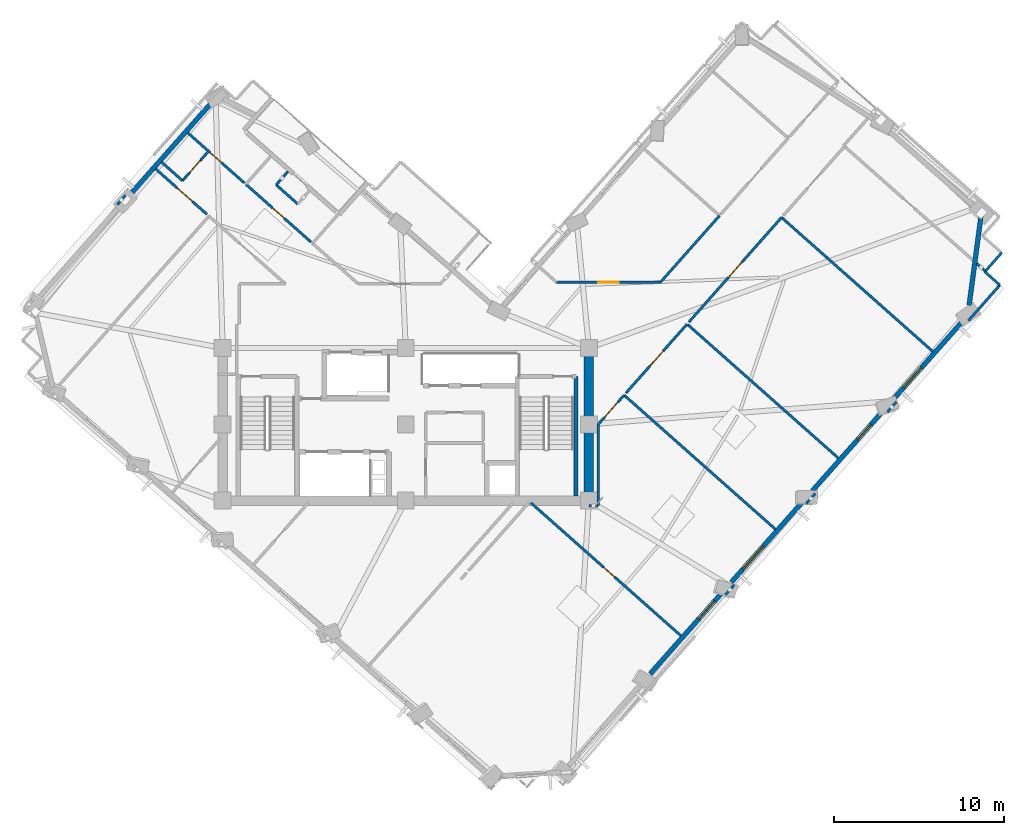
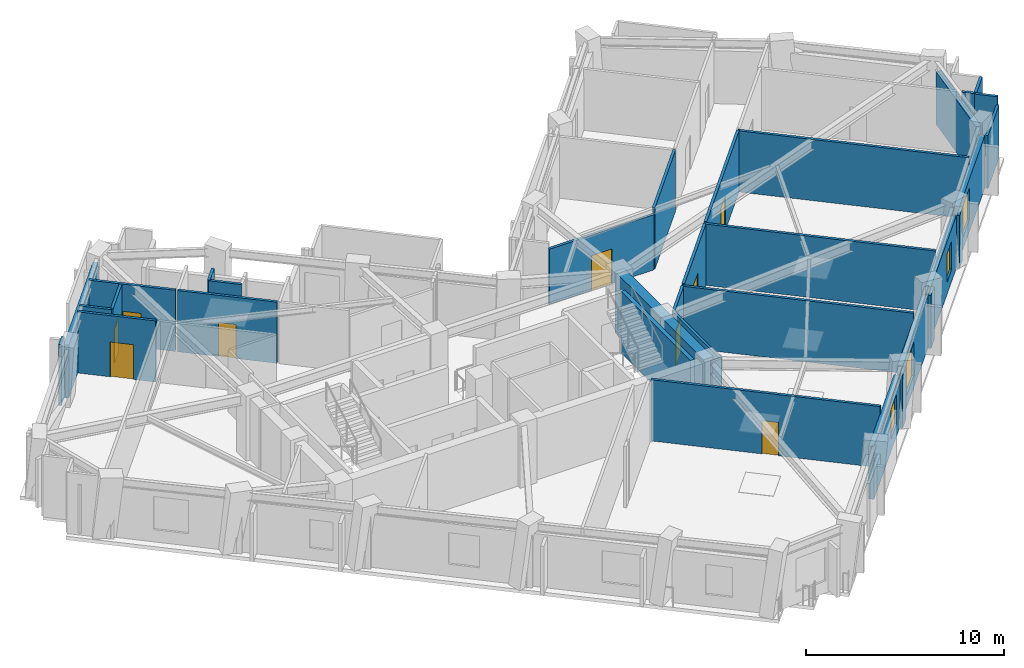
# One storey, part 7 of 13: 34 walls, 9 doors, 4 windows, 13 openings.
"""IFC4 building model written with IfcOpenShell, lengths in metres."""

from ifc_helpers import new_model, si_unit, direction, frame, frame_2d, origin, place, context, subcontext, project, spatial, rectangle, extrude, material, layer, layer_set, type_object, element, fill, save


model = new_model("IFC4")

# Units and contexts
model_context = context("Model", 3, precision=1e-05, world=origin(), true_north=direction((0.0, 1.0)))
body_context = subcontext(model_context, "Body", "Model", "MODEL_VIEW")
ifc_project = project(units=[si_unit("LENGTHUNIT", "METRE"), si_unit("AREAUNIT", "SQUARE_METRE"), si_unit("VOLUMEUNIT", "CUBIC_METRE"), si_unit("PLANEANGLEUNIT", "RADIAN"), si_unit("MASSUNIT", "GRAM", prefix="KILO")], contexts=[model_context])

# Site, building, storey
site_placement = place(None, origin())
site = spatial("IfcSite", under=ifc_project, at=site_placement, CompositionType="ELEMENT")
building_placement = place(site_placement, origin())
building = spatial("IfcBuilding", under=site, at=building_placement, Name="Gaonmaruhae Medical Tower", CompositionType="ELEMENT")
storey_placement = place(building_placement, frame((0.0, 0.0, 231.199951171875)))
storey = spatial("IfcBuildingStorey", under=building, at=storey_placement, Name="L55", CompositionType="ELEMENT", Elevation=231.199951171875)

# Wall
ifc_material_1 = material(Name="Concrete C50/60", Category="concrete")
ifc_layer_1 = layer(ifc_material_1, 0.550048828125)
ifc_layer_set_1 = layer_set([ifc_layer_1], Name="Concrete C50/60")
wall_type_1 = type_object("IfcWallType", Name="CW-550 Mid-High Core Shear Wall", PredefinedType="SHEAR", material=ifc_layer_set_1)
wall_1_placement = place(storey_placement, frame((35.60009765625, 7.800048828125, 0.0), z_axis=(0.0, 0.0, 1.0), x_axis=(0.0, 1.0, 0.0)))
element("IfcWall", 1, at=wall_1_placement, inside=storey, type_object=wall_type_1, Name="L55 Core Shear Wall CSW-E1", PredefinedType="SHEAR", context=body_context, shape_type="SweptSolid", body=[
    extrude(rectangle(XDim=9.0, YDim=0.550048828125, at=frame_2d((4.5, 0.0))), origin(), (0.0, 0.0, 1.0), 3.780029296875),
])

# Wall, opening, window
ifc_material_2 = material(Name="Precast concrete C45/55", Category="concrete")
ifc_layer_2 = layer(ifc_material_2, 0.280029296875)
ifc_layer_set_2 = layer_set([ifc_layer_2], Name="Precast concrete C45/55")
wall_type_2 = type_object("IfcWallType", Name="EW-280 Upper Precast Masonry-Frame Facade Wall", PredefinedType="SOLIDWALL", material=ifc_layer_set_2)
wall_2_placement = place(storey_placement, frame((43.4833984375, 2.40576171875, 0.0), z_axis=(0.0, 0.0, 1.0), x_axis=(-0.66328290133, -0.748368754561, 0.0)))
wall_2 = element("IfcWall", 2, at=wall_2_placement, inside=storey, type_object=wall_type_2, Name="L55 Precast Masonry-Frame Wall S02-S03", PredefinedType="SOLIDWALL", context=body_context, shape_type="SweptSolid", body=[
    extrude(rectangle(XDim=6.438720703125, YDim=0.280029296875, at=frame_2d((3.21923828125, 0.0))), origin(), (0.0, 0.0, 1.0), 3.26513671875),
])
opening_1_placement = place(wall_2_placement, frame((0.710205078125, 0.0, 0.75)))
opening_1 = element("IfcOpeningElement", 3, at=opening_1_placement, cuts=wall_2, Name="Opening WN-03", PredefinedType="OPENING", context=body_context, shape_type="SweptSolid", body=[
    extrude(rectangle(XDim=1.39990234375, YDim=1.85009765625, at=frame_2d((0.699951171875, 0.925048828125))), frame((0.0, 0.14990234375, 0.0), z_axis=(0.0, -1.0, 0.0), x_axis=(1.0, 0.0, 0.0)), (0.0, 0.0, 1.0), 0.300048828125),
])
ifc_material_3 = material(Name="Anodised aluminium and Low-E double glazing", Category="aluminium")
window_type_1 = type_object("IfcWindowType", Name="WN-03 Isolation Ward Punched Window 1400x1850", PartitioningType="SINGLE_PANEL", PredefinedType="WINDOW", material=ifc_material_3)
window_1_placement = place(opening_1_placement, origin())
window_1 = element("IfcWindow", 4, at=window_1_placement, inside=storey, type_object=window_type_1, Name="L55 Modular Facade Window S02", OverallHeight=1.85009765625, OverallWidth=1.39990234375, PartitioningType="SINGLE_PANEL", PredefinedType="WINDOW", context=body_context, shape_type="SweptSolid", body=[
    extrude(rectangle(XDim=1.39990234375, YDim=1.85009765625, at=frame_2d((0.699951171875, 0.925048828125))), frame((0.0, 0.030029296875, 0.0), z_axis=(0.0, -1.0, 0.0), x_axis=(1.0, 0.0, 0.0)), (0.0, 0.0, 1.0), 0.06005859375),
])
fill(opening_1, window_1)

wall_3_placement = place(storey_placement, frame((48.25341796875, 7.787841796875, 0.0), z_axis=(0.0, 0.0, 1.0), x_axis=(-0.663285710917, -0.748366264401, 0.0)))
wall_3 = element("IfcWall", 5, at=wall_3_placement, inside=storey, type_object=wall_type_2, Name="L55 Precast Masonry-Frame Wall S03-S04", PredefinedType="SOLIDWALL", context=body_context, shape_type="SweptSolid", body=[
    extrude(rectangle(XDim=6.413330078125, YDim=0.280029296875, at=frame_2d((3.20654296875, 0.0))), origin(), (0.0, 0.0, 1.0), 3.26513671875),
])
opening_2_placement = place(wall_3_placement, frame((3.583251953125, 0.0, 0.75)))
opening_2 = element("IfcOpeningElement", 6, at=opening_2_placement, cuts=wall_3, Name="Opening WN-04", PredefinedType="OPENING", context=body_context, shape_type="SweptSolid", body=[
    extrude(rectangle(XDim=1.800048828125, YDim=2.050048828125, at=frame_2d((0.89990234375, 1.02490234375))), frame((0.0, 0.14990234375, 0.0), z_axis=(0.0, -1.0, 0.0), x_axis=(1.0, 0.0, 0.0)), (0.0, 0.0, 1.0), 0.300048828125),
])
window_type_2 = type_object("IfcWindowType", Name="WN-04 Clinic & Consult Punched Window 1800x2050", PartitioningType="SINGLE_PANEL", PredefinedType="WINDOW", material=ifc_material_3)
window_2_placement = place(opening_2_placement, origin())
window_2 = element("IfcWindow", 7, at=window_2_placement, inside=storey, type_object=window_type_2, Name="L55 Modular Facade Window S03", OverallHeight=2.050048828125, OverallWidth=1.800048828125, PartitioningType="SINGLE_PANEL", PredefinedType="WINDOW", context=body_context, shape_type="SweptSolid", body=[
    extrude(rectangle(XDim=1.800048828125, YDim=2.050048828125, at=frame_2d((0.89990234375, 1.02490234375))), frame((0.0, 0.030029296875, 0.0), z_axis=(0.0, -1.0, 0.0), x_axis=(1.0, 0.0, 0.0)), (0.0, 0.0, 1.0), 0.06005859375),
])
fill(opening_2, window_2)

wall_4_placement = place(storey_placement, frame((53.029541015625, 13.1767578125, 0.0), z_axis=(0.0, 0.0, 1.0), x_axis=(-0.663279868265, -0.74837144277, 0.0)))
wall_4 = element("IfcWall", 8, at=wall_4_placement, inside=storey, type_object=wall_type_2, Name="L55 Precast Masonry-Frame Wall S04-S05", PredefinedType="SOLIDWALL", context=body_context, shape_type="SweptSolid", body=[
    extrude(rectangle(XDim=6.40673828125, YDim=0.280029296875, at=frame_2d((3.203369140625, 0.0))), origin(), (0.0, 0.0, 1.0), 3.26513671875),
])
opening_3_placement = place(wall_4_placement, frame((1.189697265625, 0.0, 0.75)))
opening_3 = element("IfcOpeningElement", 9, at=opening_3_placement, cuts=wall_4, Name="Opening WN-05", PredefinedType="OPENING", context=body_context, shape_type="SweptSolid", body=[
    extrude(rectangle(XDim=1.199951171875, YDim=1.75, at=frame_2d((0.60009765625, 0.875))), frame((0.0, 0.14990234375, 0.0), z_axis=(0.0, -1.0, 0.0), x_axis=(1.0, 0.0, 0.0)), (0.0, 0.0, 1.0), 0.300048828125),
])
window_type_3 = type_object("IfcWindowType", Name="WN-05 Support & Staff Punched Window 1200x1750", PartitioningType="SINGLE_PANEL", PredefinedType="WINDOW", material=ifc_material_3)
window_3_placement = place(opening_3_placement, origin())
window_3 = element("IfcWindow", 10, at=window_3_placement, inside=storey, type_object=window_type_3, Name="L55 Modular Facade Window S04", OverallHeight=1.75, OverallWidth=1.199951171875, PartitioningType="SINGLE_PANEL", PredefinedType="WINDOW", context=body_context, shape_type="SweptSolid", body=[
    extrude(rectangle(XDim=1.199951171875, YDim=1.75, at=frame_2d((0.60009765625, 0.875))), frame((0.0, 0.030029296875, 0.0), z_axis=(0.0, -1.0, 0.0), x_axis=(1.0, 0.0, 0.0)), (0.0, 0.0, 1.0), 0.06005859375),
])
fill(opening_3, window_3)

wall_5_placement = place(storey_placement, frame((57.8115234375, 18.572509765625, 0.0), z_axis=(0.0, 0.0, 1.0), x_axis=(-0.663260552, -0.748388562287, 0.0)))
wall_5 = element("IfcWall", 11, at=wall_5_placement, inside=storey, type_object=wall_type_2, Name="L55 Precast Masonry-Frame Wall S05-S06", PredefinedType="SOLIDWALL", context=body_context, shape_type="SweptSolid", body=[
    extrude(rectangle(XDim=6.41845703125, YDim=0.280029296875, at=frame_2d((3.209228515625, 0.0))), origin(), (0.0, 0.0, 1.0), 3.26513671875),
])
opening_4_placement = place(wall_5_placement, frame((3.892822265625, 0.0, 0.75)))
opening_4 = element("IfcOpeningElement", 12, at=opening_4_placement, cuts=wall_5, Name="Opening WN-01", PredefinedType="OPENING", context=body_context, shape_type="SweptSolid", body=[
    extrude(rectangle(XDim=1.60009765625, YDim=1.949951171875, at=frame_2d((0.800048828125, 0.97509765625))), frame((0.0, 0.14990234375, 0.0), z_axis=(0.0, -1.0, 0.0), x_axis=(1.0, 0.0, 0.0)), (0.0, 0.0, 1.0), 0.300048828125),
])
window_type_4 = type_object("IfcWindowType", Name="WN-01 Ward Punched Acoustic Window 1600x1950", PartitioningType="SINGLE_PANEL", PredefinedType="WINDOW", material=ifc_material_3)
window_4_placement = place(opening_4_placement, origin())
window_4 = element("IfcWindow", 13, at=window_4_placement, inside=storey, type_object=window_type_4, Name="L55 Modular Facade Window S05", OverallHeight=1.949951171875, OverallWidth=1.60009765625, PartitioningType="SINGLE_PANEL", PredefinedType="WINDOW", context=body_context, shape_type="SweptSolid", body=[
    extrude(rectangle(XDim=1.60009765625, YDim=1.949951171875, at=frame_2d((0.800048828125, 0.97509765625))), frame((0.0, 0.030029296875, 0.0), z_axis=(0.0, -1.0, 0.0), x_axis=(1.0, 0.0, 0.0)), (0.0, 0.0, 1.0), 0.06005859375),
])
fill(opening_4, window_4)

# Walls
wall_6_placement = place(storey_placement, frame((58.725341796875, 24.5693359375, 0.0), z_axis=(0.0, 0.0, 1.0), x_axis=(-0.132266427594, -0.991214200933, 0.0)))
element("IfcWall", 14, at=wall_6_placement, inside=storey, type_object=wall_type_2, Name="L55 Precast Masonry-Frame Wall S06-E01", PredefinedType="SOLIDWALL", context=body_context, shape_type="SweptSolid", body=[
    extrude(rectangle(XDim=5.2939453125, YDim=0.280029296875, at=frame_2d((2.64697265625, 0.0))), origin(), (0.0, 0.0, 1.0), 3.26513671875),
])
wall_7_placement = place(storey_placement, frame((8.407470703125, 25.69921875, 0.0), z_axis=(0.0, 0.0, 1.0), x_axis=(0.66326446151, 0.748385097458, 0.0)))
element("IfcWall", 15, at=wall_7_placement, inside=storey, type_object=wall_type_2, Name="L55 Precast Masonry-Frame Wall N01-N02", PredefinedType="SOLIDWALL", context=body_context, shape_type="SweptSolid", body=[
    extrude(rectangle(XDim=7.434326171875, YDim=0.280029296875, at=frame_2d((3.71728515625, 0.0))), origin(), (0.0, 0.0, 1.0), 3.26513671875),
])

# Wall, opening, door
ifc_material_4 = material(Name="Gypsum board partition", Category="gypsum")
ifc_layer_3 = layer(ifc_material_4, 0.14990234375)
ifc_layer_set_3 = layer_set([ifc_layer_3], Name="Gypsum board partition")
wall_type_3 = type_object("IfcWallType", Name="PW-150 Rated Clinical Corridor Partition", PredefinedType="PARTITIONING", material=ifc_layer_set_3)
wall_8_placement = place(storey_placement, frame((32.177001953125, 7.675048828125, 0.0), z_axis=(0.0, 0.0, 1.0), x_axis=(0.748389037184, -0.66326001615, 0.0)))
wall_8 = element("IfcWall", 16, at=wall_8_placement, inside=storey, type_object=wall_type_3, Name="L55 Interior Partition L55-SUP02-10", PredefinedType="PARTITIONING", context=body_context, shape_type="SweptSolid", body=[
    extrude(rectangle(XDim=11.841552734375, YDim=0.14990234375, at=frame_2d((5.9208984375, 0.0))), origin(), (0.0, 0.0, 1.0), 3.780029296875),
])
opening_5_placement = place(wall_8_placement, frame((5.731201171875, 0.0, 0.0)))
opening_5 = element("IfcOpeningElement", 17, at=opening_5_placement, cuts=wall_8, Name="Opening AD-01", PredefinedType="OPENING", context=body_context, shape_type="SweptSolid", body=[
    extrude(rectangle(XDim=0.860107421875, YDim=2.06005859375, at=frame_2d((0.43017578125, 1.030029296875))), frame((0.0, 0.0849609375, 0.0), z_axis=(0.0, -1.0, 0.0), x_axis=(1.0, 0.0, 0.0)), (0.0, 0.0, 1.0), 0.169921875),
])
ifc_material_5 = material(Name="Powder-coated steel access door", Category="steel")
door_type_1 = type_object("IfcDoorType", Name="AD-01 Riser & Closet Access Fire Door 860x2060", OperationType="NOTDEFINED", PredefinedType="DOOR", material=ifc_material_5)
door_1_placement = place(opening_5_placement, origin())
door_1 = element("IfcDoor", 18, at=door_1_placement, inside=storey, type_object=door_type_1, Name="L55 Clinical Biomedical Charting Office Sliding Door", OperationType="SLIDING_TO_LEFT", OverallHeight=2.06005859375, OverallWidth=0.860107421875, PredefinedType="DOOR", context=body_context, shape_type="SweptSolid", body=[
    extrude(rectangle(XDim=0.860107421875, YDim=2.06005859375, at=frame_2d((0.43017578125, 1.030029296875))), frame((0.0, 0.02490234375, 0.0), z_axis=(0.0, -1.0, 0.0), x_axis=(1.0, 0.0, 0.0)), (0.0, 0.0, 1.0), 0.050048828125),
])
fill(opening_5, door_1)

wall_9_placement = place(storey_placement, frame((36.14990234375, 12.299072265625, 0.0), z_axis=(0.0, 0.0, 1.0), x_axis=(0.663330445226, 0.748326613476, 0.0)))
wall_9 = element("IfcWall", 19, at=wall_9_placement, inside=storey, type_object=wall_type_3, Name="L55 Interior Partition L55-SUP03-11", PredefinedType="PARTITIONING", context=body_context, shape_type="SweptSolid", body=[
    extrude(rectangle(XDim=2.3037109375, YDim=0.14990234375, at=frame_2d((1.15185546875, 0.0))), origin(), (0.0, 0.0, 1.0), 3.780029296875),
])
opening_6_placement = place(wall_9_placement, frame((0.5517578125, 0.0, 0.0)))
opening_6 = element("IfcOpeningElement", 20, at=opening_6_placement, cuts=wall_9, Name="Opening CD-02", PredefinedType="OPENING", context=body_context, shape_type="SweptSolid", body=[
    extrude(rectangle(XDim=1.199951171875, YDim=2.14990234375, at=frame_2d((0.60009765625, 1.074951171875))), frame((0.0, 0.0849609375, 0.0), z_axis=(0.0, -1.0, 0.0), x_axis=(1.0, 0.0, 0.0)), (0.0, 0.0, 1.0), 0.169921875),
])
ifc_material_6 = material(Name="Antimicrobial laminate timber fire door", Category="wood")
door_type_2 = type_object("IfcDoorType", Name="CD-02 Clinical Treatment & Procedure Door 1200x2150", OperationType="NOTDEFINED", PredefinedType="DOOR", material=ifc_material_6)
door_2_placement = place(opening_6_placement, origin())
door_2 = element("IfcDoor", 21, at=door_2_placement, inside=storey, type_object=door_type_2, Name="L55 Clinical Biomedical Charting Office Door", OperationType="SINGLE_SWING_RIGHT", OverallHeight=2.14990234375, OverallWidth=1.199951171875, PredefinedType="DOOR", context=body_context, shape_type="SweptSolid", body=[
    extrude(rectangle(XDim=1.199951171875, YDim=2.14990234375, at=frame_2d((0.60009765625, 1.074951171875))), frame((0.0, 0.02490234375, 0.0), z_axis=(0.0, -1.0, 0.0), x_axis=(1.0, 0.0, 0.0)), (0.0, 0.0, 1.0), 0.050048828125),
])
fill(opening_6, door_2)

# Walls
wall_10_placement = place(storey_placement, frame((37.677978515625, 14.02294921875, 0.0), z_axis=(0.0, 0.0, 1.0), x_axis=(0.74839262996, -0.663255962221, 0.0)))
element("IfcWall", 22, at=wall_10_placement, inside=storey, type_object=wall_type_3, Name="L55 Interior Partition L55-SUP03-12", PredefinedType="PARTITIONING", context=body_context, shape_type="SweptSolid", body=[
    extrude(rectangle(XDim=11.93505859375, YDim=0.14990234375, at=frame_2d((5.967529296875, 0.0))), origin(), (0.0, 0.0, 1.0), 3.780029296875),
])
wall_11_placement = place(storey_placement, frame((44.172119140625, 2.8359375, 0.0), z_axis=(0.0, 0.0, 1.0), x_axis=(-0.663546729403, -0.748134839383, 0.0)))
element("IfcWall", 23, at=wall_11_placement, inside=storey, type_object=wall_type_3, Name="L55 Interior Partition L55-SUP03-13", PredefinedType="PARTITIONING", context=body_context, shape_type="SweptSolid", body=[
    extrude(rectangle(XDim=0.779296875, YDim=0.14990234375, at=frame_2d((0.3896484375, 0.0))), origin(), (0.0, 0.0, 1.0), 3.26513671875),
])
wall_12_placement = place(storey_placement, frame((35.60009765625, 7.5, 0.0), z_axis=(0.0, 0.0, 1.0), x_axis=(1.0, 0.0, 0.0)))
element("IfcWall", 24, at=wall_12_placement, inside=storey, type_object=wall_type_3, Name="L55 Interior Partition L55-SUP03-14", PredefinedType="PARTITIONING", context=body_context, shape_type="SweptSolid", body=[
    extrude(rectangle(XDim=0.5498046875, YDim=0.14990234375, at=frame_2d((0.27490234375, 0.0))), origin(), (0.0, 0.0, 1.0), 3.780029296875),
])
wall_13_placement = place(storey_placement, frame((36.14990234375, 7.5, 0.0), z_axis=(0.0, 0.0, 1.0), x_axis=(0.0, 1.0, 0.0)))
element("IfcWall", 25, at=wall_13_placement, inside=storey, type_object=wall_type_3, Name="L55 Interior Partition L55-SUP03-15", PredefinedType="PARTITIONING", context=body_context, shape_type="SweptSolid", body=[
    extrude(rectangle(XDim=4.799072265625, YDim=0.14990234375, at=frame_2d((2.3994140625, 0.0))), origin(), (0.0, 0.0, 1.0), 3.780029296875),
])

# Wall, opening, door
wall_14_placement = place(storey_placement, frame((37.783935546875, 14.14306640625, 0.0), z_axis=(0.0, 0.0, 1.0), x_axis=(0.663380047742, 0.74828264196, 0.0)))
wall_14 = element("IfcWall", 26, at=wall_14_placement, inside=storey, type_object=wall_type_3, Name="L55 Interior Partition L55-SUP04-16", PredefinedType="PARTITIONING", context=body_context, shape_type="SweptSolid", body=[
    extrude(rectangle(XDim=5.4404296875, YDim=0.14990234375, at=frame_2d((2.72021484375, 0.0))), origin(), (0.0, 0.0, 1.0), 3.780029296875),
])
opening_7_placement = place(wall_14_placement, frame((2.1201171875, 0.0, 0.0)))
opening_7 = element("IfcOpeningElement", 27, at=opening_7_placement, cuts=wall_14, Name="Opening CD-02", PredefinedType="OPENING", context=body_context, shape_type="SweptSolid", body=[
    extrude(rectangle(XDim=1.199951171875, YDim=2.14990234375, at=frame_2d((0.60009765625, 1.074951171875))), frame((0.0, 0.0849609375, 0.0), z_axis=(0.0, -1.0, 0.0), x_axis=(1.0, 0.0, 0.0)), (0.0, 0.0, 1.0), 0.169921875),
])
door_3_placement = place(opening_7_placement, origin())
door_3 = element("IfcDoor", 28, at=door_3_placement, inside=storey, type_object=door_type_2, Name="L55 Clinical Biomedical Charting Office Door", OperationType="SINGLE_SWING_RIGHT", OverallHeight=2.14990234375, OverallWidth=1.199951171875, PredefinedType="DOOR", context=body_context, shape_type="SweptSolid", body=[
    extrude(rectangle(XDim=1.199951171875, YDim=2.14990234375, at=frame_2d((0.60009765625, 1.074951171875))), frame((0.0, 0.02490234375, 0.0), z_axis=(0.0, -1.0, 0.0), x_axis=(1.0, 0.0, 0.0)), (0.0, 0.0, 1.0), 0.050048828125),
])
fill(opening_7, door_3)

# Walls
wall_15_placement = place(storey_placement, frame((41.429931640625, 18.180908203125, 0.0), z_axis=(0.0, 0.0, 1.0), x_axis=(0.748405797498, -0.663241104178, 0.0)))
element("IfcWall", 29, at=wall_15_placement, inside=storey, type_object=wall_type_3, Name="L55 Interior Partition L55-SUP04-17", PredefinedType="PARTITIONING", context=body_context, shape_type="SweptSolid", body=[
    extrude(rectangle(XDim=11.88525390625, YDim=0.14990234375, at=frame_2d((5.942626953125, 0.0))), origin(), (0.0, 0.0, 1.0), 3.780029296875),
])
wall_16_placement = place(storey_placement, frame((48.951904296875, 8.22900390625, 0.0), z_axis=(0.0, 0.0, 1.0), x_axis=(-0.663561863998, -0.748121415712, 0.0)))
element("IfcWall", 30, at=wall_16_placement, inside=storey, type_object=wall_type_3, Name="L55 Interior Partition L55-SUP04-18", PredefinedType="PARTITIONING", context=body_context, shape_type="SweptSolid", body=[
    extrude(rectangle(XDim=0.7939453125, YDim=0.14990234375, at=frame_2d((0.39697265625, 0.0))), origin(), (0.0, 0.0, 1.0), 3.26513671875),
])

# Wall, opening, door
wall_17_placement = place(storey_placement, frame((41.4990234375, 18.333984375, 0.0), z_axis=(0.0, 0.0, 1.0), x_axis=(0.663232090045, 0.748413785773, 0.0)))
wall_17 = element("IfcWall", 31, at=wall_17_placement, inside=storey, type_object=wall_type_3, Name="L55 Interior Partition L55-SUP05-19", PredefinedType="PARTITIONING", context=body_context, shape_type="SweptSolid", body=[
    extrude(rectangle(XDim=8.239990234375, YDim=0.14990234375, at=frame_2d((4.1201171875, 0.0))), origin(), (0.0, 0.0, 1.0), 3.780029296875),
])
opening_8_placement = place(wall_17_placement, frame((3.52001953125, 0.0, 0.0)))
opening_8 = element("IfcOpeningElement", 32, at=opening_8_placement, cuts=wall_17, Name="Opening CD-02", PredefinedType="OPENING", context=body_context, shape_type="SweptSolid", body=[
    extrude(rectangle(XDim=1.199951171875, YDim=2.14990234375, at=frame_2d((0.60009765625, 1.074951171875))), frame((0.0, 0.0849609375, 0.0), z_axis=(0.0, -1.0, 0.0), x_axis=(1.0, 0.0, 0.0)), (0.0, 0.0, 1.0), 0.169921875),
])
door_4_placement = place(opening_8_placement, origin())
door_4 = element("IfcDoor", 33, at=door_4_placement, inside=storey, type_object=door_type_2, Name="L55 Clinical Biomedical Charting Office Door", OperationType="SINGLE_SWING_LEFT", OverallHeight=2.14990234375, OverallWidth=1.199951171875, PredefinedType="DOOR", context=body_context, shape_type="SweptSolid", body=[
    extrude(rectangle(XDim=1.199951171875, YDim=2.14990234375, at=frame_2d((0.60009765625, 1.074951171875))), frame((0.0, 0.02490234375, 0.0), z_axis=(0.0, -1.0, 0.0), x_axis=(1.0, 0.0, 0.0)), (0.0, 0.0, 1.0), 0.050048828125),
])
fill(opening_8, door_4)

# Walls
wall_18_placement = place(storey_placement, frame((46.964111328125, 24.5009765625, 0.0), z_axis=(0.0, 0.0, 1.0), x_axis=(0.748383631113, -0.663266116037, 0.0)))
element("IfcWall", 34, at=wall_18_placement, inside=storey, type_object=wall_type_3, Name="L55 Interior Partition L55-SUP05-20", PredefinedType="PARTITIONING", context=body_context, shape_type="SweptSolid", body=[
    extrude(rectangle(XDim=11.934814453125, YDim=0.14990234375, at=frame_2d((5.96728515625, 0.0))), origin(), (0.0, 0.0, 1.0), 3.780029296875),
])
wall_19_placement = place(storey_placement, frame((53.72607421875, 13.616943359375, 0.0), z_axis=(0.0, 0.0, 1.0), x_axis=(-0.662274323809, -0.749261449712, 0.0)))
element("IfcWall", 35, at=wall_19_placement, inside=storey, type_object=wall_type_3, Name="L55 Interior Partition L55-SUP05-21", PredefinedType="PARTITIONING", context=body_context, shape_type="SweptSolid", body=[
    extrude(rectangle(XDim=0.79150390625, YDim=0.14990234375, at=frame_2d((0.395751953125, 0.0))), origin(), (0.0, 0.0, 1.0), 3.26513671875),
])
wall_20_placement = place(storey_placement, frame((59.842041015625, 20.51708984375, 0.0), z_axis=(0.0, 0.0, 1.0), x_axis=(-0.663167767646, -0.748470782299, 0.0)))
element("IfcWall", 36, at=wall_20_placement, inside=storey, type_object=wall_type_3, Name="L55 Interior Partition L55-SUP06-22", PredefinedType="PARTITIONING", context=body_context, shape_type="SweptSolid", body=[
    extrude(rectangle(XDim=2.802001953125, YDim=0.14990234375, at=frame_2d((1.40087890625, 0.0))), origin(), (0.0, 0.0, 1.0), 3.26513671875),
])
wall_21_placement = place(storey_placement, frame((58.469970703125, 21.785888671875, 0.0), z_axis=(0.0, 0.0, 1.0), x_axis=(0.748210908834, -0.663460952809, 0.0)))
element("IfcWall", 37, at=wall_21_placement, inside=storey, type_object=wall_type_3, Name="L55 Interior Partition L55-SUP06-25", PredefinedType="PARTITIONING", context=body_context, shape_type="SweptSolid", body=[
    extrude(rectangle(XDim=0.6884765625, YDim=0.14990234375, at=frame_2d((0.34423828125, 0.0))), origin(), (0.0, 0.0, 1.0), 3.780029296875),
])
wall_22_placement = place(storey_placement, frame((58.958984375, 21.299072265625, 0.0), z_axis=(0.0, 0.0, 1.0), x_axis=(0.748652751878, -0.662962334605, 0.0)))
element("IfcWall", 38, at=wall_22_placement, inside=storey, type_object=wall_type_3, Name="L55 Interior Partition L55-SUP06-26", PredefinedType="PARTITIONING", context=body_context, shape_type="SweptSolid", body=[
    extrude(rectangle(XDim=1.179443359375, YDim=0.14990234375, at=frame_2d((0.58984375, 0.0))), origin(), (0.0, 0.0, 1.0), 3.780029296875),
])
wall_23_placement = place(storey_placement, frame((7.784912109375, 25.2529296875, 0.0), z_axis=(0.0, 0.0, 1.0), x_axis=(0.66298290144, 0.748634538609, 0.0)))
element("IfcWall", 39, at=wall_23_placement, inside=storey, type_object=wall_type_3, Name="L55 Interior Partition L55-WOF10-43", PredefinedType="PARTITIONING", context=body_context, shape_type="SweptSolid", body=[
    extrude(rectangle(XDim=0.746826171875, YDim=0.14990234375, at=frame_2d((0.37353515625, 0.0))), origin(), (0.0, 0.0, 1.0), 3.780029296875),
])

# Wall, opening, door
wall_24_placement = place(storey_placement, frame((10.04296875, 27.3720703125, 0.0), z_axis=(0.0, 0.0, 1.0), x_axis=(0.748293219075, -0.663368116725, 0.0)))
wall_24 = element("IfcWall", 40, at=wall_24_placement, inside=storey, type_object=wall_type_3, Name="L55 Interior Partition L55-WOF10-44", PredefinedType="PARTITIONING", context=body_context, shape_type="SweptSolid", body=[
    extrude(rectangle(XDim=4.050537109375, YDim=0.14990234375, at=frame_2d((2.025390625, 0.0))), origin(), (0.0, 0.0, 1.0), 3.780029296875),
])
opening_9_placement = place(wall_24_placement, frame((1.7001953125, 0.0, 0.0)))
opening_9 = element("IfcOpeningElement", 41, at=opening_9_placement, cuts=wall_24, Name="Opening CD-02", PredefinedType="OPENING", context=body_context, shape_type="SweptSolid", body=[
    extrude(rectangle(XDim=1.199951171875, YDim=2.14990234375, at=frame_2d((0.60009765625, 1.074951171875))), frame((0.0, 0.0849609375, 0.0), z_axis=(0.0, -1.0, 0.0), x_axis=(1.0, 0.0, 0.0)), (0.0, 0.0, 1.0), 0.169921875),
])
door_5_placement = place(opening_9_placement, origin())
door_5 = element("IfcDoor", 42, at=door_5_placement, inside=storey, type_object=door_type_2, Name="L55 Ward Physician Reporting Office Door", OperationType="SINGLE_SWING_RIGHT", OverallHeight=2.14990234375, OverallWidth=1.199951171875, PredefinedType="DOOR", context=body_context, shape_type="SweptSolid", body=[
    extrude(rectangle(XDim=1.199951171875, YDim=2.14990234375, at=frame_2d((0.60009765625, 1.074951171875))), frame((0.0, 0.02490234375, 0.0), z_axis=(0.0, -1.0, 0.0), x_axis=(1.0, 0.0, 0.0)), (0.0, 0.0, 1.0), 0.050048828125),
])
fill(opening_9, door_5)

# Wall
wall_25_placement = place(storey_placement, frame((43.305908203125, 24.60888671875, 0.0), z_axis=(0.0, 0.0, 1.0), x_axis=(-0.663353083876, -0.74830654555, 0.0)))
element("IfcWall", 43, at=wall_25_placement, inside=storey, type_object=wall_type_3, Name="L55 Interior Partition L55-IE02-51", PredefinedType="PARTITIONING", context=body_context, shape_type="SweptSolid", body=[
    extrude(rectangle(XDim=5.25048828125, YDim=0.14990234375, at=frame_2d((2.625244140625, 0.0))), origin(), (0.0, 0.0, 1.0), 3.780029296875),
])

# Wall, opening, door
wall_26_placement = place(storey_placement, frame((39.822998046875, 20.679931640625, 0.0), z_axis=(0.0, 0.0, 1.0), x_axis=(-1.0, 0.0, 0.0)))
wall_26 = element("IfcWall", 44, at=wall_26_placement, inside=storey, type_object=wall_type_3, Name="L55 Interior Partition L55-IE02-52", PredefinedType="PARTITIONING", context=body_context, shape_type="SweptSolid", body=[
    extrude(rectangle(XDim=6.1279296875, YDim=0.14990234375, at=frame_2d((3.06396484375, 0.0))), origin(), (0.0, 0.0, 1.0), 3.4150390625),
])
opening_10_placement = place(wall_26_placement, frame((2.464111328125, 0.0, 0.0)))
opening_10 = element("IfcOpeningElement", 45, at=opening_10_placement, cuts=wall_26, Name="Opening CD-02", PredefinedType="OPENING", context=body_context, shape_type="SweptSolid", body=[
    extrude(rectangle(XDim=1.199951171875, YDim=2.14990234375, at=frame_2d((0.60009765625, 1.074951171875))), frame((0.0, 0.0849609375, 0.0), z_axis=(0.0, -1.0, 0.0), x_axis=(1.0, 0.0, 0.0)), (0.0, 0.0, 1.0), 0.169921875),
])
door_6_placement = place(opening_10_placement, origin())
door_6 = element("IfcDoor", 46, at=door_6_placement, inside=storey, type_object=door_type_2, Name="L55 Acute Treatment Examination Room Door", OperationType="SINGLE_SWING_LEFT", OverallHeight=2.14990234375, OverallWidth=1.199951171875, PredefinedType="DOOR", context=body_context, shape_type="SweptSolid", body=[
    extrude(rectangle(XDim=1.199951171875, YDim=2.14990234375, at=frame_2d((0.60009765625, 1.074951171875))), frame((0.0, 0.02490234375, 0.0), z_axis=(0.0, -1.0, 0.0), x_axis=(1.0, 0.0, 0.0)), (0.0, 0.0, 1.0), 0.050048828125),
])
fill(opening_10, door_6)

# Walls
wall_27_placement = place(storey_placement, frame((17.85693359375, 27.214111328125, 0.0), z_axis=(0.0, 0.0, 1.0), x_axis=(-0.663602063318, -0.748085758159, 0.0)))
element("IfcWall", 47, at=wall_27_placement, inside=storey, type_object=wall_type_3, Name="L55 Interior Partition L55-IN02-73", PredefinedType="PARTITIONING", context=body_context, shape_type="SweptSolid", body=[
    extrude(rectangle(XDim=1.0546875, YDim=0.14990234375, at=frame_2d((0.52734375, 0.0))), origin(), (0.0, 0.0, 1.0), 3.780029296875),
])
wall_28_placement = place(storey_placement, frame((17.156982421875, 26.425048828125, 0.0), z_axis=(0.0, 0.0, 1.0), x_axis=(0.748453811161, -0.663186921282, 0.0)))
element("IfcWall", 48, at=wall_28_placement, inside=storey, type_object=wall_type_3, Name="L55 Interior Partition L55-IN02-74", PredefinedType="PARTITIONING", context=body_context, shape_type="SweptSolid", body=[
    extrude(rectangle(XDim=1.70068359375, YDim=0.14990234375, at=frame_2d((0.850341796875, 0.0))), origin(), (0.0, 0.0, 1.0), 3.780029296875),
])

# Wall, opening, door
wall_29_placement = place(storey_placement, frame((19.2119140625, 23.053955078125, 0.0), z_axis=(0.0, 0.0, 1.0), x_axis=(-0.748387735165, 0.663261485279, 0.0)))
wall_29 = element("IfcWall", 49, at=wall_29_placement, inside=storey, type_object=wall_type_3, Name="L55 Interior Partition L55-IN02-76", PredefinedType="PARTITIONING", context=body_context, shape_type="SweptSolid", body=[
    extrude(rectangle(XDim=5.130859375, YDim=0.14990234375, at=frame_2d((2.5654296875, 0.0))), origin(), (0.0, 0.0, 1.0), 3.780029296875),
])
opening_11_placement = place(wall_29_placement, frame((2.10546875, 0.0, 0.0)))
opening_11 = element("IfcOpeningElement", 50, at=opening_11_placement, cuts=wall_29, Name="Opening UD-01", PredefinedType="OPENING", context=body_context, shape_type="SweptSolid", body=[
    extrude(rectangle(XDim=0.919921875, YDim=2.10009765625, at=frame_2d((0.4599609375, 1.050048828125))), frame((0.0, 0.0849609375, 0.0), z_axis=(0.0, -1.0, 0.0), x_axis=(1.0, 0.0, 0.0)), (0.0, 0.0, 1.0), 0.169921875),
])
ifc_material_7 = material(Name="Powder-coated steel utility door", Category="steel")
door_type_3 = type_object("IfcDoorType", Name="UD-01 Toilet, Utility & Housekeeping Door 920x2100", OperationType="NOTDEFINED", PredefinedType="DOOR", material=ifc_material_7)
door_7_placement = place(opening_11_placement, origin())
door_7 = element("IfcDoor", 51, at=door_7_placement, inside=storey, type_object=door_type_3, Name="L55 Ward Nutrition Pantry Door", OperationType="SINGLE_SWING_RIGHT", OverallHeight=2.10009765625, OverallWidth=0.919921875, PredefinedType="DOOR", context=body_context, shape_type="SweptSolid", body=[
    extrude(rectangle(XDim=0.919921875, YDim=2.10009765625, at=frame_2d((0.4599609375, 1.050048828125))), frame((0.0, 0.02490234375, 0.0), z_axis=(0.0, -1.0, 0.0), x_axis=(1.0, 0.0, 0.0)), (0.0, 0.0, 1.0), 0.050048828125),
])
fill(opening_11, door_7)

wall_30_placement = place(storey_placement, frame((15.282958984375, 26.535888671875, 0.0), z_axis=(0.0, 0.0, 1.0), x_axis=(-0.748380790805, 0.66326932083, 0.0)))
wall_30 = element("IfcWall", 52, at=wall_30_placement, inside=storey, type_object=wall_type_3, Name="L55 Interior Partition L55-IN03-78", PredefinedType="PARTITIONING", context=body_context, shape_type="SweptSolid", body=[
    extrude(rectangle(XDim=4.474853515625, YDim=0.14990234375, at=frame_2d((2.2373046875, 0.0))), origin(), (0.0, 0.0, 1.0), 3.780029296875),
])
opening_12_placement = place(wall_30_placement, frame((1.777587890625, 0.0, 0.0)))
opening_12 = element("IfcOpeningElement", 53, at=opening_12_placement, cuts=wall_30, Name="Opening UD-01", PredefinedType="OPENING", context=body_context, shape_type="SweptSolid", body=[
    extrude(rectangle(XDim=0.919921875, YDim=2.10009765625, at=frame_2d((0.4599609375, 1.050048828125))), frame((0.0, 0.0849609375, 0.0), z_axis=(0.0, -1.0, 0.0), x_axis=(1.0, 0.0, 0.0)), (0.0, 0.0, 1.0), 0.169921875),
])
door_8_placement = place(opening_12_placement, origin())
door_8 = element("IfcDoor", 54, at=door_8_placement, inside=storey, type_object=door_type_3, Name="L55 Public Visitor Toilet Door", OperationType="SINGLE_SWING_RIGHT", OverallHeight=2.10009765625, OverallWidth=0.919921875, PredefinedType="DOOR", context=body_context, shape_type="SweptSolid", body=[
    extrude(rectangle(XDim=0.919921875, YDim=2.10009765625, at=frame_2d((0.4599609375, 1.050048828125))), frame((0.0, 0.02490234375, 0.0), z_axis=(0.0, -1.0, 0.0), x_axis=(1.0, 0.0, 0.0)), (0.0, 0.0, 1.0), 0.050048828125),
])
fill(opening_12, door_8)

wall_31_placement = place(storey_placement, frame((13.10595703125, 28.33203125, 0.0), z_axis=(0.0, 0.0, 1.0), x_axis=(-0.663441871076, -0.748227828742, 0.0)))
wall_31 = element("IfcWall", 55, at=wall_31_placement, inside=storey, type_object=wall_type_3, Name="L55 Interior Partition L55-RM02-84", PredefinedType="PARTITIONING", context=body_context, shape_type="SweptSolid", body=[
    extrude(rectangle(XDim=2.219970703125, YDim=0.14990234375, at=frame_2d((1.10986328125, 0.0))), origin(), (0.0, 0.0, 1.0), 3.780029296875),
])
opening_13_placement = place(wall_31_placement, frame((0.610107421875, 0.0, 0.0)))
opening_13 = element("IfcOpeningElement", 56, at=opening_13_placement, cuts=wall_31, Name="Opening CD-01", PredefinedType="OPENING", context=body_context, shape_type="SweptSolid", body=[
    extrude(rectangle(XDim=1.0, YDim=2.1201171875, at=frame_2d((0.5, 1.06005859375))), frame((0.0, 0.0849609375, 0.0), z_axis=(0.0, -1.0, 0.0), x_axis=(1.0, 0.0, 0.0)), (0.0, 0.0, 1.0), 0.169921875),
])
door_type_4 = type_object("IfcDoorType", Name="CD-01 Consultation & Physician Office Door 1000x2120", OperationType="NOTDEFINED", PredefinedType="DOOR", material=ifc_material_6)
door_9_placement = place(opening_13_placement, origin())
door_9 = element("IfcDoor", 57, at=door_9_placement, inside=storey, type_object=door_type_4, Name="L55 Care Team Clinical Charting Office Door", OperationType="SINGLE_SWING_RIGHT", OverallHeight=2.1201171875, OverallWidth=1.0, PredefinedType="DOOR", context=body_context, shape_type="SweptSolid", body=[
    extrude(rectangle(XDim=1.0, YDim=2.1201171875, at=frame_2d((0.5, 1.06005859375))), frame((0.0, 0.02490234375, 0.0), z_axis=(0.0, -1.0, 0.0), x_axis=(1.0, 0.0, 0.0)), (0.0, 0.0, 1.0), 0.050048828125),
])
fill(opening_13, door_9)

# Walls
wall_32_placement = place(storey_placement, frame((11.633056640625, 26.6708984375, 0.0), z_axis=(0.0, 0.0, 1.0), x_axis=(-0.74840188068, 0.663245523916, 0.0)))
element("IfcWall", 58, at=wall_32_placement, inside=storey, type_object=wall_type_3, Name="L55 Interior Partition L55-RM02-85", PredefinedType="PARTITIONING", context=body_context, shape_type="SweptSolid", body=[
    extrude(rectangle(XDim=1.654296875, YDim=0.14990234375, at=frame_2d((0.8271484375, 0.0))), origin(), (0.0, 0.0, 1.0), 3.780029296875),
])
wall_33_placement = place(storey_placement, frame((59.9541015625, 22.422119140625, 0.0), z_axis=(0.0, 0.0, 1.0), x_axis=(-0.663100377057, -0.748530486985, 0.0)))
element("IfcWall", 59, at=wall_33_placement, inside=storey, type_object=wall_type_3, Name="L55 Interior Partition L55-RM04-91", PredefinedType="PARTITIONING", context=body_context, shape_type="SweptSolid", body=[
    extrude(rectangle(XDim=1.4404296875, YDim=0.14990234375, at=frame_2d((0.72021484375, 0.0))), origin(), (0.0, 0.0, 1.0), 3.780029296875),
])
ifc_layer_4 = layer(ifc_material_1, 0.239990234375)
ifc_layer_set_4 = layer_set([ifc_layer_4], Name="Concrete C50/60")
wall_type_4 = type_object("IfcWallType", Name="SW-240 Dogleg Stair Tight Shaft Wall", PredefinedType="SOLIDWALL", material=ifc_layer_set_4)
wall_34_placement = place(storey_placement, frame((34.830078125, 15.1201171875, 0.0), z_axis=(0.0, 0.0, 1.0), x_axis=(0.0, -1.0, 0.0)))
element("IfcWall", 60, at=wall_34_placement, inside=storey, type_object=wall_type_4, Name="L55 ST-02 Stair Shaft Wall SHW-ST-02-E", PredefinedType="SOLIDWALL", context=body_context, shape_type="SweptSolid", body=[
    extrude(rectangle(XDim=7.045166015625, YDim=0.239990234375, at=frame_2d((3.5224609375, 0.0))), origin(), (0.0, 0.0, 1.0), 3.780029296875),
])

save(model, "model.ifc")
